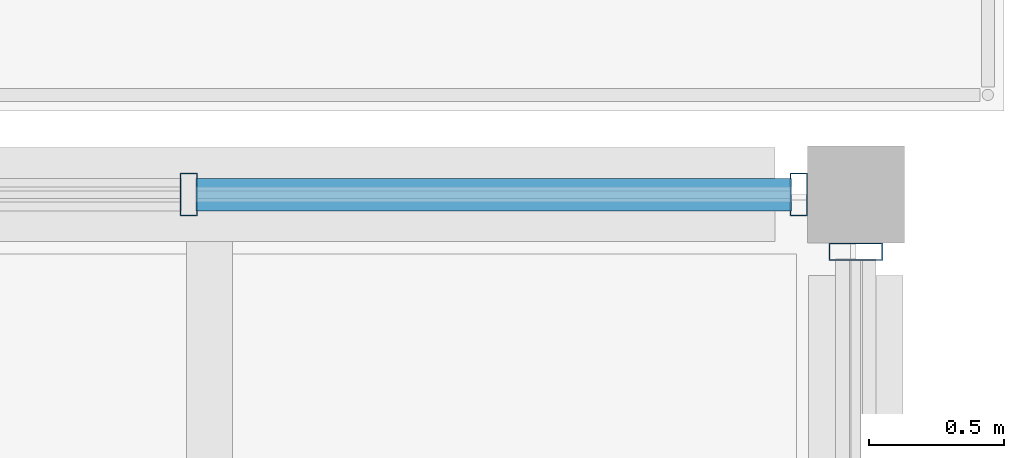
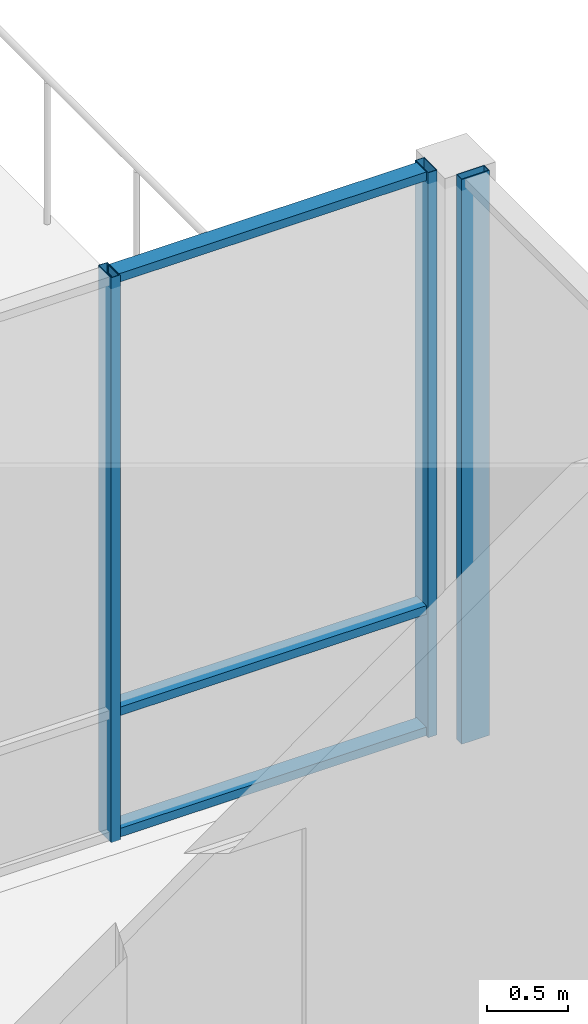
# One storey, part 88 of 146: 6 members, 2 elements without a shape of their own.
"""IFC4 building model written with IfcOpenShell, lengths in metres."""

from ifc_helpers import new_model, si_unit, direction, frame, origin, origin_2d, place, context, subcontext, project, spatial, hollow_rectangle, extrude, material, material_profile, profile_set, type_object, element, aggregate, save


model = new_model("IFC4")

# Units and contexts
model_context = context("Model", 3, precision=1e-05, world=origin(), true_north=direction((0.0, 1.0)))
body_context = subcontext(model_context, "Body", "Model", "MODEL_VIEW")
ifc_project = project(units=[si_unit("LENGTHUNIT", "METRE"), si_unit("AREAUNIT", "SQUARE_METRE"), si_unit("VOLUMEUNIT", "CUBIC_METRE"), si_unit("PLANEANGLEUNIT", "RADIAN"), si_unit("MASSUNIT", "GRAM", prefix="KILO")], contexts=[model_context])

# Site, building, storey
site_placement = place(None, origin())
site = spatial("IfcSite", under=ifc_project, at=site_placement, CompositionType="ELEMENT")
building_placement = place(site_placement, origin())
building = spatial("IfcBuilding", under=site, at=building_placement, Name="Hawrajan Terrace Health Centre", CompositionType="ELEMENT")
storey_placement = place(building_placement, frame((0.0, 0.0, 4.5)))
storey = spatial("IfcBuildingStorey", under=building, at=storey_placement, Name="L01", CompositionType="ELEMENT", Elevation=4.5)

# Curtain wall, members
ifc_material_1 = material(Name="Anodized bronze aluminium and low-E solar glazing", Category="aluminium")
curtain_wall_type_1 = type_object("IfcCurtainWallType", Name="CW_Garden_SeriesF2", PredefinedType="USERDEFINED", material=ifc_material_1)
curtain_wall_1_placement = place(storey_placement, origin())
curtain_wall_1 = element("IfcCurtainWall", 1, at=curtain_wall_1_placement, inside=storey, type_object=curtain_wall_type_1, Name="Curtain wall CW-L01-111", ObjectType="UNITISED CURTAIN WALL", PredefinedType="USERDEFINED")
ifc_material_2 = material(Name="Anodized bronze aluminium 6063-T6", Category="aluminium")
ifc_material_profile_1 = material_profile(ifc_material_2, hollow_rectangle(XDim=0.06494140625, YDim=0.159912109375, WallThickness=0.00390625, at=origin_2d()), Name="CW MUL 65x160")
ifc_profile_set_1 = profile_set([ifc_material_profile_1], Name="Anodized bronze aluminium 6063-T6")
member_type_1 = type_object("IfcMemberType", Name="CWMullion_65x160", PredefinedType="MULLION", material=ifc_profile_set_1)
member_1_placement = place(storey_placement, frame((162.922607421875, 27.199951171875, -0.0048828125), z_axis=(0.0, 0.0, 1.0), x_axis=(1.0, 0.0, 0.0)))
member_1 = element("IfcMember", 2, at=member_1_placement, type_object=member_type_1, Name="Mullion CW-L01-111-M3", PredefinedType="MULLION", context=body_context, shape_type="SweptSolid", body=[
    extrude(hollow_rectangle(XDim=0.06494140625, YDim=0.159912109375, WallThickness=0.00390625, at=origin_2d()), origin(), (0.0, 0.0, 1.0), 4.269775390625),
])
member_2_placement = place(storey_placement, frame((165.1875, 27.199951171875, -0.0048828125), z_axis=(0.0, 0.0, 1.0), x_axis=(1.0, 0.0, 0.0)))
member_2 = element("IfcMember", 3, at=member_2_placement, type_object=member_type_1, Name="Mullion CW-L01-111-M4", PredefinedType="MULLION", context=body_context, shape_type="SweptSolid", body=[
    extrude(hollow_rectangle(XDim=0.06494140625, YDim=0.159912109375, WallThickness=0.00390625, at=origin_2d()), origin(), (0.0, 0.0, 1.0), 4.269775390625),
])

# Curtain wall, member
curtain_wall_type_2 = type_object("IfcCurtainWallType", Name="CW_Clerestory_SeriesG1", PredefinedType="USERDEFINED", material=ifc_material_1)
curtain_wall_2_placement = place(storey_placement, origin())
curtain_wall_2 = element("IfcCurtainWall", 4, at=curtain_wall_2_placement, inside=storey, type_object=curtain_wall_type_2, Name="Curtain wall CW-L01-112", ObjectType="UNITISED CURTAIN WALL", PredefinedType="USERDEFINED")
ifc_material_profile_2 = material_profile(ifc_material_2, hollow_rectangle(XDim=0.06494140625, YDim=0.199951171875, WallThickness=0.00439453125, at=origin_2d()), Name="CW MUL 65x200")
ifc_profile_set_2 = profile_set([ifc_material_profile_2], Name="Anodized bronze aluminium 6063-T6")
member_type_2 = type_object("IfcMemberType", Name="CWMullion_65x200", PredefinedType="MULLION", material=ifc_profile_set_2)
member_3_placement = place(storey_placement, frame((165.39990234375, 26.987548828125, -0.0048828125), z_axis=(0.0, 0.0, 1.0), x_axis=(0.0, 1.0, 0.0)))
member_3 = element("IfcMember", 5, at=member_3_placement, type_object=member_type_2, Name="Mullion CW-L01-112-M4", PredefinedType="MULLION", context=body_context, shape_type="SweptSolid", body=[
    extrude(hollow_rectangle(XDim=0.06494140625, YDim=0.199951171875, WallThickness=0.00439453125, at=origin_2d()), origin(), (0.0, 0.0, 1.0), 4.269775390625),
])
aggregate(curtain_wall_2, [member_3])

# Member
ifc_material_profile_3 = material_profile(ifc_material_2, hollow_rectangle(XDim=0.06494140625, YDim=0.1201171875, WallThickness=0.00341796875, at=origin_2d()), Name="CW TRN 65x120")
ifc_profile_set_3 = profile_set([ifc_material_profile_3], Name="Anodized bronze aluminium 6063-T6")
member_type_3 = type_object("IfcMemberType", Name="CWTransom_65x120", PredefinedType="USERDEFINED", material=ifc_profile_set_3)
member_4_placement = place(storey_placement, frame((162.948974609375, 27.199951171875, 0.032470703125), z_axis=(1.0, 0.0, 0.0), x_axis=(0.0, 0.0, 1.0)))
member_4 = element("IfcMember", 6, at=member_4_placement, type_object=member_type_3, Name="Transom CW-L01-111-T3-1", ObjectType="TRANSOM", PredefinedType="USERDEFINED", context=body_context, shape_type="SweptSolid", body=[
    extrude(hollow_rectangle(XDim=0.06494140625, YDim=0.1201171875, WallThickness=0.00341796875, at=origin_2d()), origin(), (0.0, 0.0, 1.0), 2.2119140625),
])

member_5_placement = place(storey_placement, frame((162.948974609375, 27.199951171875, 0.949951171875), z_axis=(1.0, 0.0, 0.0), x_axis=(0.0, 0.0, 1.0)))
member_5 = element("IfcMember", 7, at=member_5_placement, type_object=member_type_3, Name="Transom CW-L01-111-T3-2", ObjectType="TRANSOM", PredefinedType="USERDEFINED", context=body_context, shape_type="SweptSolid", body=[
    extrude(hollow_rectangle(XDim=0.06494140625, YDim=0.1201171875, WallThickness=0.00341796875, at=origin_2d()), origin(), (0.0, 0.0, 1.0), 2.2119140625),
])

member_6_placement = place(storey_placement, frame((162.948974609375, 27.199951171875, 4.2275390625), z_axis=(1.0, 0.0, 0.0), x_axis=(0.0, 0.0, 1.0)))
member_6 = element("IfcMember", 8, at=member_6_placement, type_object=member_type_3, Name="Transom CW-L01-111-T3-3", ObjectType="TRANSOM", PredefinedType="USERDEFINED", context=body_context, shape_type="SweptSolid", body=[
    extrude(hollow_rectangle(XDim=0.06494140625, YDim=0.1201171875, WallThickness=0.00341796875, at=origin_2d()), origin(), (0.0, 0.0, 1.0), 2.2119140625),
])

aggregate(curtain_wall_1, [member_1, member_2, member_4, member_5, member_6])

save(model, "model.ifc")
